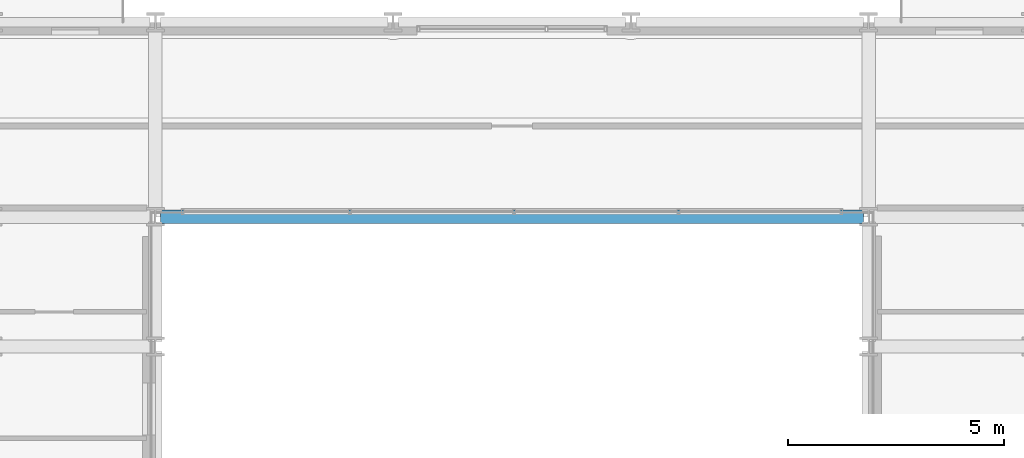
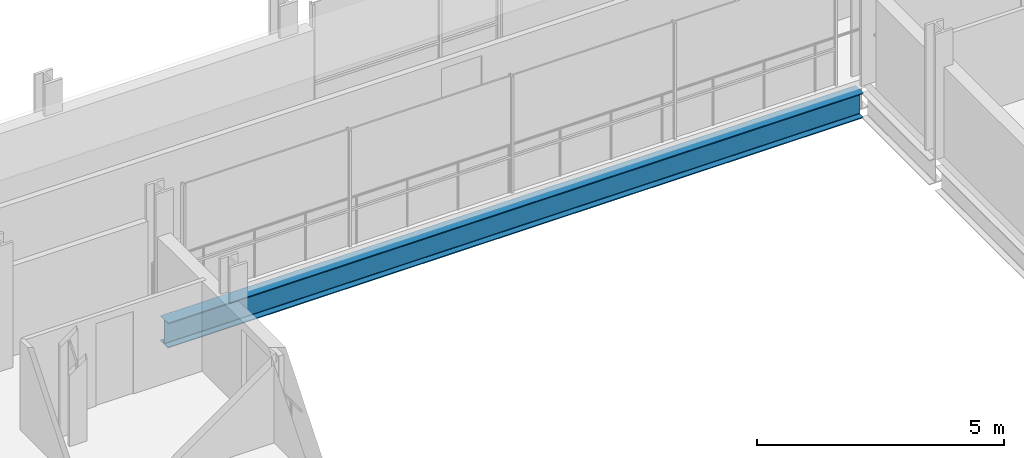
# One storey, part 10 of 38: 1 beam.
"""IFC4 building model written with IfcOpenShell, lengths in metres."""

from ifc_helpers import new_model, si_unit, direction, frame, origin, origin_2d, place, context, subcontext, project, spatial, i_section, extrude, material, material_profile, profile_set, type_object, element, save


model = new_model("IFC4")

# Units and contexts
model_context = context("Model", 3, precision=1e-05, world=origin(), true_north=direction((0.0, 1.0)))
body_context = subcontext(model_context, "Body", "Model", "MODEL_VIEW")
ifc_project = project(units=[si_unit("LENGTHUNIT", "METRE"), si_unit("AREAUNIT", "SQUARE_METRE"), si_unit("VOLUMEUNIT", "CUBIC_METRE"), si_unit("PLANEANGLEUNIT", "RADIAN"), si_unit("MASSUNIT", "GRAM", prefix="KILO")], contexts=[model_context])

# Site, building, storey
site_placement = place(None, origin())
site = spatial("IfcSite", under=ifc_project, at=site_placement, CompositionType="ELEMENT")
building_placement = place(site_placement, origin())
building = spatial("IfcBuilding", under=site, at=building_placement, Name="Brevholm Reach", CompositionType="ELEMENT")
storey_placement = place(building_placement, frame((0.0, 0.0, 65.199951171875)))
storey = spatial("IfcBuildingStorey", under=building, at=storey_placement, Name="L18", CompositionType="ELEMENT", Elevation=65.199951171875)

# Beam
ifc_material = material(Name="Structural Steel S355J2", Category="steel")
ifc_material_profile = material_profile(ifc_material, i_section(OverallWidth=0.30712890625, OverallDepth=0.6201171875, WebThickness=0.01416015625, FlangeThickness=0.023681640625, FilletRadius=0.0166015625, at=origin_2d()), Name="UKB 610x305x179")
ifc_profile_set = profile_set([ifc_material_profile], Name="Structural Steel S355J2")
beam_type = type_object("IfcBeamType", Name="BM-UKB610H", PredefinedType="USERDEFINED", material=ifc_profile_set)
beam_placement = place(storey_placement, frame((21.8701171875, 26.5, -0.5400390625), z_axis=(1.0, 0.0, 0.0), x_axis=(0.0, 1.0, 0.0)))
element("IfcBeam", 1, at=beam_placement, inside=storey, type_object=beam_type, Name="L18 G-06 Framing Beam", ObjectType="GIRDER", PredefinedType="USERDEFINED", context=body_context, shape_type="SweptSolid", body=[
    extrude(i_section(OverallWidth=0.30712890625, OverallDepth=0.6201171875, WebThickness=0.01416015625, FlangeThickness=0.023681640625, FilletRadius=0.0166015625, at=origin_2d()), origin(), (0.0, 0.0, 1.0), 16.259765625),
])

save(model, "model.ifc")
